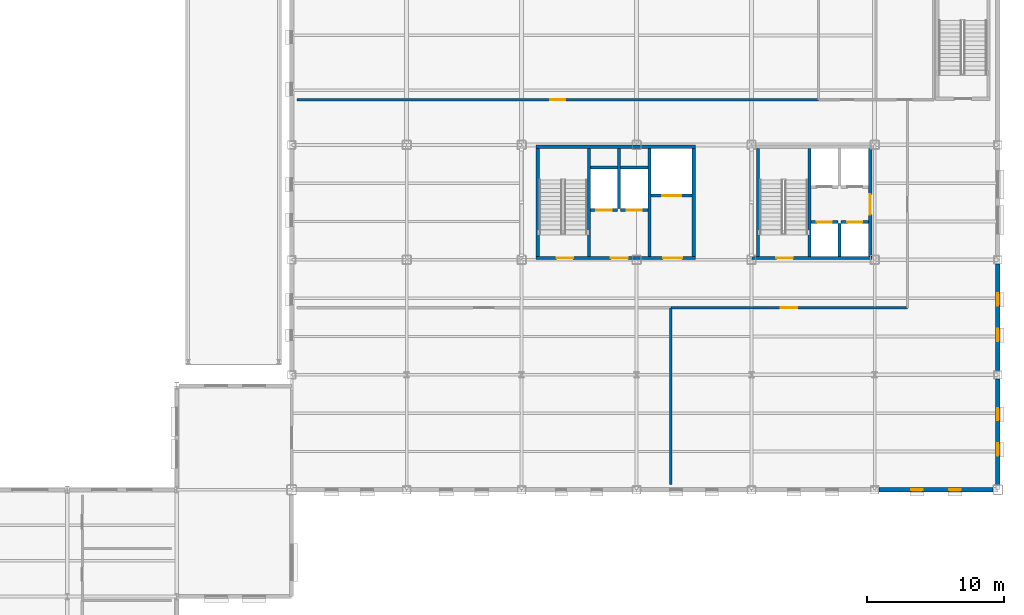
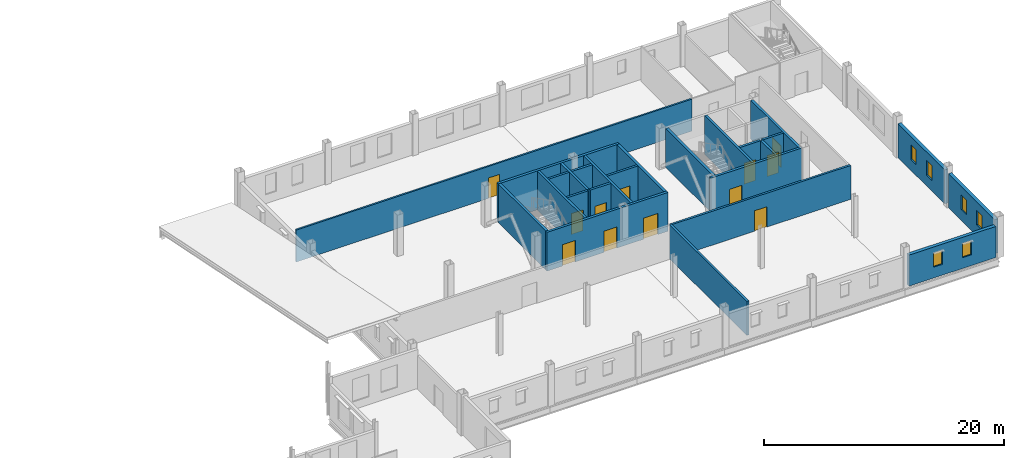
# One storey, part 65 of 75: 25 walls, 12 doors, 6 windows, 18 openings.
"""IFC4 building model written with IfcOpenShell, lengths in metres."""

from ifc_helpers import new_model, si_unit, direction, frame, frame_2d, origin, place, context, subcontext, project, spatial, rectangle, extrude, material, layer, layer_set, type_object, element, fill, save


model = new_model("IFC4")

# Units and contexts
model_context = context("Model", 3, precision=1e-05, world=origin(), true_north=direction((0.0, 1.0)))
body_context = subcontext(model_context, "Body", "Model", "MODEL_VIEW")
ifc_project = project(units=[si_unit("LENGTHUNIT", "METRE"), si_unit("AREAUNIT", "SQUARE_METRE"), si_unit("VOLUMEUNIT", "CUBIC_METRE"), si_unit("PLANEANGLEUNIT", "RADIAN"), si_unit("MASSUNIT", "GRAM", prefix="KILO")], contexts=[model_context])

# Site, building, storey
site_placement = place(None, origin())
site = spatial("IfcSite", under=ifc_project, at=site_placement, CompositionType="ELEMENT")
building_placement = place(site_placement, origin())
building = spatial("IfcBuilding", under=site, at=building_placement, Name="Yukiwa Park Conservatory and Herbarium", CompositionType="ELEMENT")
storey_placement = place(building_placement, frame((0.0, 0.0, 4.800048828125)))
storey = spatial("IfcBuildingStorey", under=building, at=storey_placement, Name="L01", CompositionType="ELEMENT", Elevation=4.800048828125)

# Walls
ifc_material_1 = material(Name="Concrete C40", Category="concrete")
ifc_layer_1 = layer(ifc_material_1, 0.219970703125)
ifc_layer_set_1 = layer_set([ifc_layer_1], Name="Concrete C40")
wall_type_1 = type_object("IfcWallType", Name="WL-CORE-RC220", PredefinedType="SHEAR", material=ifc_layer_set_1)
wall_1_placement = place(storey_placement, frame((138.110107421875, 95.050048828125, 0.0), z_axis=(0.0, 0.0, 1.0), x_axis=(0.0, 1.0, 0.0)))
element("IfcWall", 1, at=wall_1_placement, inside=storey, type_object=wall_type_1, Name="L01 core shear wall 167", PredefinedType="SHEAR", context=body_context, shape_type="SweptSolid", body=[
    extrude(rectangle(XDim=7.89990234375, YDim=0.219970703125, at=frame_2d((3.949951171875, 0.0))), origin(), (0.0, 0.0, 1.0), 3.954833984375),
])
wall_2_placement = place(storey_placement, frame((140.330078125, 98.5400390625, 0.0), z_axis=(0.0, 0.0, 1.0), x_axis=(0.0, 1.0, 0.0)))
element("IfcWall", 2, at=wall_2_placement, inside=storey, type_object=wall_type_1, Name="L01 core shear wall 168", PredefinedType="SHEAR", context=body_context, shape_type="SweptSolid", body=[
    extrude(rectangle(XDim=4.409912109375, YDim=0.219970703125, at=frame_2d((2.205078125, 0.0))), origin(), (0.0, 0.0, 1.0), 3.954833984375),
])
wall_3_placement = place(storey_placement, frame((142.550048828125, 95.050048828125, 0.0), z_axis=(0.0, 0.0, 1.0), x_axis=(0.0, 1.0, 0.0)))
element("IfcWall", 3, at=wall_3_placement, inside=storey, type_object=wall_type_1, Name="L01 core shear wall 169", PredefinedType="SHEAR", context=body_context, shape_type="SweptSolid", body=[
    extrude(rectangle(XDim=7.89990234375, YDim=0.219970703125, at=frame_2d((3.949951171875, 0.0))), origin(), (0.0, 0.0, 1.0), 3.954833984375),
])

# Wall, opening, door
wall_4_placement = place(storey_placement, frame((138.219970703125, 98.429931640625, 0.0), z_axis=(0.0, 0.0, 1.0), x_axis=(1.0, 0.0, 0.0)))
wall_4 = element("IfcWall", 4, at=wall_4_placement, inside=storey, type_object=wall_type_1, Name="L01 core shear wall 171", PredefinedType="SHEAR", context=body_context, shape_type="SweptSolid", body=[
    extrude(rectangle(XDim=2.0, YDim=0.219970703125, at=frame_2d((1.0, 0.0))), origin(), (0.0, 0.0, 1.0), 3.954833984375),
])
opening_1_placement = place(wall_4_placement, frame((0.449951171875, 0.0, 0.0)))
opening_1 = element("IfcOpeningElement", 5, at=opening_1_placement, cuts=wall_4, Name="Opening LD-01", PredefinedType="OPENING", context=body_context, shape_type="SweptSolid", body=[
    extrude(rectangle(XDim=1.10009765625, YDim=2.14990234375, at=frame_2d((0.550048828125, 1.074951171875))), frame((0.0, 0.1201171875, 0.0), z_axis=(0.0, -1.0, 0.0), x_axis=(1.0, 0.0, 0.0)), (0.0, 0.0, 1.0), 0.239990234375),
])
ifc_material_2 = material(Name="Steel Q235B", Category="steel")
door_type_1 = type_object("IfcDoorType", Name="DR-LIFT-LD1100", OperationType="SLIDING_TO_LEFT", PredefinedType="DOOR", material=ifc_material_2)
door_1_placement = place(opening_1_placement, origin())
door_1 = element("IfcDoor", 6, at=door_1_placement, inside=storey, type_object=door_type_1, Name="L01 Firefighting Lift FL1 sliding landing door", OperationType="SLIDING_TO_LEFT", OverallHeight=2.14990234375, OverallWidth=1.10009765625, PredefinedType="DOOR", context=body_context, shape_type="SweptSolid", body=[
    extrude(rectangle(XDim=1.10009765625, YDim=2.14990234375, at=frame_2d((0.550048828125, 1.074951171875))), frame((0.0, 0.02490234375, 0.0), z_axis=(0.0, -1.0, 0.0), x_axis=(1.0, 0.0, 0.0)), (0.0, 0.0, 1.0), 0.050048828125),
])
fill(opening_1, door_1)

wall_5_placement = place(storey_placement, frame((140.43994140625, 98.429931640625, 0.0), z_axis=(0.0, 0.0, 1.0), x_axis=(1.0, 0.0, 0.0)))
wall_5 = element("IfcWall", 7, at=wall_5_placement, inside=storey, type_object=wall_type_1, Name="L01 core shear wall 172", PredefinedType="SHEAR", context=body_context, shape_type="SweptSolid", body=[
    extrude(rectangle(XDim=2.0, YDim=0.219970703125, at=frame_2d((1.0, 0.0))), origin(), (0.0, 0.0, 1.0), 3.954833984375),
])
opening_2_placement = place(wall_5_placement, frame((0.449951171875, 0.0, 0.0)))
opening_2 = element("IfcOpeningElement", 8, at=opening_2_placement, cuts=wall_5, Name="Opening LD-01", PredefinedType="OPENING", context=body_context, shape_type="SweptSolid", body=[
    extrude(rectangle(XDim=1.10009765625, YDim=2.14990234375, at=frame_2d((0.550048828125, 1.074951171875))), frame((0.0, 0.1201171875, 0.0), z_axis=(0.0, -1.0, 0.0), x_axis=(1.0, 0.0, 0.0)), (0.0, 0.0, 1.0), 0.239990234375),
])
door_2_placement = place(opening_2_placement, origin())
door_2 = element("IfcDoor", 9, at=door_2_placement, inside=storey, type_object=door_type_1, Name="L01 Firefighting Lift FL2 sliding landing door", OperationType="SLIDING_TO_LEFT", OverallHeight=2.14990234375, OverallWidth=1.10009765625, PredefinedType="DOOR", context=body_context, shape_type="SweptSolid", body=[
    extrude(rectangle(XDim=1.10009765625, YDim=2.14990234375, at=frame_2d((0.550048828125, 1.074951171875))), frame((0.0, 0.02490234375, 0.0), z_axis=(0.0, -1.0, 0.0), x_axis=(1.0, 0.0, 0.0)), (0.0, 0.0, 1.0), 0.050048828125),
])
fill(opening_2, door_2)

# Walls
for number, where, z_axis, x_axis, name in (
    (10, (138.219970703125, 101.550048828125, 0.0), (0.0, 0.0, 1.0), (1.0, 0.0, 0.0), "L01 core shear wall 173"),
    (11, (140.43994140625, 101.550048828125, 0.0), (0.0, 0.0, 1.0), (1.0, 0.0, 0.0), "L01 core shear wall 174"),
):
    element("IfcWall", number, at=place(storey_placement, frame(where, z_axis=z_axis, x_axis=x_axis)), inside=storey, type_object=wall_type_1, Name=name, PredefinedType="SHEAR", context=body_context, shape_type="SweptSolid", body=[
        extrude(rectangle(XDim=2.0, YDim=0.219970703125, at=frame_2d((1.0, 0.0))), origin(), (0.0, 0.0, 1.0), 3.954833984375),
    ])

# Wall, opening, door
wall_6_placement = place(storey_placement, frame((142.659912109375, 99.489990234375, 0.0), z_axis=(0.0, 0.0, 1.0), x_axis=(1.0, 0.0, 0.0)))
wall_6 = element("IfcWall", 12, at=wall_6_placement, inside=storey, type_object=wall_type_1, Name="L01 core shear wall 175", PredefinedType="SHEAR", context=body_context, shape_type="SweptSolid", body=[
    extrude(rectangle(XDim=3.0, YDim=0.219970703125, at=frame_2d((1.5, 0.0))), origin(), (0.0, 0.0, 1.0), 3.954833984375),
])
opening_3_placement = place(wall_6_placement, frame((0.800048828125, 0.0, 0.0)))
opening_3 = element("IfcOpeningElement", 13, at=opening_3_placement, cuts=wall_6, Name="Opening LD-02", PredefinedType="OPENING", context=body_context, shape_type="SweptSolid", body=[
    extrude(rectangle(XDim=1.39990234375, YDim=2.199951171875, at=frame_2d((0.699951171875, 1.10009765625))), frame((0.0, 0.1201171875, 0.0), z_axis=(0.0, -1.0, 0.0), x_axis=(1.0, 0.0, 0.0)), (0.0, 0.0, 1.0), 0.239990234375),
])
ifc_material_3 = material(Name="Steel Q235B", Category="steel")
door_type_2 = type_object("IfcDoorType", Name="DR-LIFT-LD1400", OperationType="SLIDING_TO_LEFT", PredefinedType="DOOR", material=ifc_material_3)
door_3_placement = place(opening_3_placement, origin())
door_3 = element("IfcDoor", 14, at=door_3_placement, inside=storey, type_object=door_type_2, Name="L01 Goods Lift GL1 sliding landing door", OperationType="SLIDING_TO_LEFT", OverallHeight=2.199951171875, OverallWidth=1.39990234375, PredefinedType="DOOR", context=body_context, shape_type="SweptSolid", body=[
    extrude(rectangle(XDim=1.39990234375, YDim=2.199951171875, at=frame_2d((0.699951171875, 1.10009765625))), frame((0.0, 0.02490234375, 0.0), z_axis=(0.0, -1.0, 0.0), x_axis=(1.0, 0.0, 0.0)), (0.0, 0.0, 1.0), 0.050048828125),
])
fill(opening_3, door_3)

# Walls
wall_7_placement = place(storey_placement, frame((154.219970703125, 95.050048828125, 0.0), z_axis=(0.0, 0.0, 1.0), x_axis=(0.0, 1.0, 0.0)))
element("IfcWall", 15, at=wall_7_placement, inside=storey, type_object=wall_type_1, Name="L01 core shear wall 179", PredefinedType="SHEAR", context=body_context, shape_type="SweptSolid", body=[
    extrude(rectangle(XDim=7.89990234375, YDim=0.219970703125, at=frame_2d((3.949951171875, 0.0))), origin(), (0.0, 0.0, 1.0), 3.954833984375),
])
wall_8_placement = place(storey_placement, frame((156.43994140625, 95.050048828125, 0.0), z_axis=(0.0, 0.0, 1.0), x_axis=(0.0, 1.0, 0.0)))
element("IfcWall", 16, at=wall_8_placement, inside=storey, type_object=wall_type_1, Name="L01 core shear wall 184", PredefinedType="SHEAR", context=body_context, shape_type="SweptSolid", body=[
    extrude(rectangle(XDim=2.39990234375, YDim=0.219970703125, at=frame_2d((1.199951171875, 0.0))), origin(), (0.0, 0.0, 1.0), 3.954833984375),
])

# Wall, opening, door
wall_9_placement = place(storey_placement, frame((154.330078125, 97.56005859375, 0.0), z_axis=(0.0, 0.0, 1.0), x_axis=(1.0, 0.0, 0.0)))
wall_9 = element("IfcWall", 17, at=wall_9_placement, inside=storey, type_object=wall_type_1, Name="L01 core shear wall 185", PredefinedType="SHEAR", context=body_context, shape_type="SweptSolid", body=[
    extrude(rectangle(XDim=2.0, YDim=0.219970703125, at=frame_2d((1.0, 0.0))), origin(), (0.0, 0.0, 1.0), 3.954833984375),
])
opening_4_placement = place(wall_9_placement, frame((0.449951171875, 0.0, 0.0)))
opening_4 = element("IfcOpeningElement", 18, at=opening_4_placement, cuts=wall_9, Name="Opening LD-01", PredefinedType="OPENING", context=body_context, shape_type="SweptSolid", body=[
    extrude(rectangle(XDim=1.10009765625, YDim=2.14990234375, at=frame_2d((0.550048828125, 1.074951171875))), frame((0.0, 0.1201171875, 0.0), z_axis=(0.0, -1.0, 0.0), x_axis=(1.0, 0.0, 0.0)), (0.0, 0.0, 1.0), 0.239990234375),
])
door_4_placement = place(opening_4_placement, origin())
door_4 = element("IfcDoor", 19, at=door_4_placement, inside=storey, type_object=door_type_1, Name="L01 Passenger Lift LP3 sliding landing door", OperationType="SLIDING_TO_LEFT", OverallHeight=2.14990234375, OverallWidth=1.10009765625, PredefinedType="DOOR", context=body_context, shape_type="SweptSolid", body=[
    extrude(rectangle(XDim=1.10009765625, YDim=2.14990234375, at=frame_2d((0.550048828125, 1.074951171875))), frame((0.0, 0.02490234375, 0.0), z_axis=(0.0, -1.0, 0.0), x_axis=(1.0, 0.0, 0.0)), (0.0, 0.0, 1.0), 0.050048828125),
])
fill(opening_4, door_4)

wall_10_placement = place(storey_placement, frame((156.550048828125, 97.56005859375, 0.0), z_axis=(0.0, 0.0, 1.0), x_axis=(1.0, 0.0, 0.0)))
wall_10 = element("IfcWall", 20, at=wall_10_placement, inside=storey, type_object=wall_type_1, Name="L01 core shear wall 186", PredefinedType="SHEAR", context=body_context, shape_type="SweptSolid", body=[
    extrude(rectangle(XDim=2.0, YDim=0.219970703125, at=frame_2d((1.0, 0.0))), origin(), (0.0, 0.0, 1.0), 3.954833984375),
])
opening_5_placement = place(wall_10_placement, frame((0.449951171875, 0.0, 0.0)))
opening_5 = element("IfcOpeningElement", 21, at=opening_5_placement, cuts=wall_10, Name="Opening LD-01", PredefinedType="OPENING", context=body_context, shape_type="SweptSolid", body=[
    extrude(rectangle(XDim=1.10009765625, YDim=2.14990234375, at=frame_2d((0.550048828125, 1.074951171875))), frame((0.0, 0.1201171875, 0.0), z_axis=(0.0, -1.0, 0.0), x_axis=(1.0, 0.0, 0.0)), (0.0, 0.0, 1.0), 0.239990234375),
])
door_5_placement = place(opening_5_placement, origin())
door_5 = element("IfcDoor", 22, at=door_5_placement, inside=storey, type_object=door_type_1, Name="L01 Passenger Lift LP4 sliding landing door", OperationType="SLIDING_TO_LEFT", OverallHeight=2.14990234375, OverallWidth=1.10009765625, PredefinedType="DOOR", context=body_context, shape_type="SweptSolid", body=[
    extrude(rectangle(XDim=1.10009765625, YDim=2.14990234375, at=frame_2d((0.550048828125, 1.074951171875))), frame((0.0, 0.02490234375, 0.0), z_axis=(0.0, -1.0, 0.0), x_axis=(1.0, 0.0, 0.0)), (0.0, 0.0, 1.0), 0.050048828125),
])
fill(opening_5, door_5)

# Wall, openings, doors
ifc_material_4 = material(Name="Concrete C50", Category="concrete")
ifc_layer_2 = layer(ifc_material_4, 0.239990234375)
ifc_layer_set_2 = layer_set([ifc_layer_2], Name="Concrete C50")
wall_type_2 = type_object("IfcWallType", Name="WL-CORE-RC240", PredefinedType="SHEAR", material=ifc_layer_set_2)
wall_11_placement = place(storey_placement, frame((134.25, 94.929931640625, 0.0), z_axis=(0.0, 0.0, 1.0), x_axis=(1.0, 0.0, 0.0)))
wall_11 = element("IfcWall", 23, at=wall_11_placement, inside=storey, type_object=wall_type_2, Name="L01 core shear wall 164", PredefinedType="SHEAR", context=body_context, shape_type="SweptSolid", body=[
    extrude(rectangle(XDim=11.64990234375, YDim=0.239990234375, at=frame_2d((5.824951171875, 0.0))), origin(), (0.0, 0.0, 1.0), 3.954833984375),
])
opening_6_placement = place(wall_11_placement, frame((1.5, 0.0, 0.0)))
opening_6 = element("IfcOpeningElement", 24, at=opening_6_placement, cuts=wall_11, Name="Opening SD-01", PredefinedType="OPENING", context=body_context, shape_type="SweptSolid", body=[
    extrude(rectangle(XDim=1.219970703125, YDim=2.179931640625, at=frame_2d((0.60986328125, 1.08984375))), frame((0.0, 0.1298828125, 0.0), z_axis=(0.0, -1.0, 0.0), x_axis=(1.0, 0.0, 0.0)), (0.0, 0.0, 1.0), 0.260009765625),
])
opening_7_placement = place(wall_11_placement, frame((5.47998046875, 0.0, 0.0)))
opening_7 = element("IfcOpeningElement", 25, at=opening_7_placement, cuts=wall_11, Name="Opening FD-02", PredefinedType="OPENING", context=body_context, shape_type="SweptSolid", body=[
    extrude(rectangle(XDim=1.239990234375, YDim=2.14990234375, at=frame_2d((0.6201171875, 1.074951171875))), frame((0.0, 0.1298828125, 0.0), z_axis=(0.0, -1.0, 0.0), x_axis=(1.0, 0.0, 0.0)), (0.0, 0.0, 1.0), 0.260009765625),
])
opening_8_placement = place(wall_11_placement, frame((9.300048828125, 0.0, 0.0)))
opening_8 = element("IfcOpeningElement", 26, at=opening_8_placement, cuts=wall_11, Name="Opening FD-06", PredefinedType="OPENING", context=body_context, shape_type="SweptSolid", body=[
    extrude(rectangle(XDim=1.3798828125, YDim=2.14990234375, at=frame_2d((0.68994140625, 1.074951171875))), frame((0.0, 0.1298828125, 0.0), z_axis=(0.0, -1.0, 0.0), x_axis=(1.0, 0.0, 0.0)), (0.0, 0.0, 1.0), 0.260009765625),
])
ifc_material_5 = material(Name="Steel Q235B", Category="steel")
door_type_3 = type_object("IfcDoorType", Name="DR-FIRE-FD60-1400", OperationType="DOUBLE_DOOR_SINGLE_SWING", PredefinedType="DOOR", material=ifc_material_5)
door_6_placement = place(opening_8_placement, frame((1.3798828125, 0.0, 0.0), z_axis=(0.0, 0.0, 1.0), x_axis=(-1.0, 0.0, 0.0)))
door_6 = element("IfcDoor", 27, at=door_6_placement, inside=storey, type_object=door_type_3, Name="L01 Goods Lift Lobby double fire door", OperationType="DOUBLE_DOOR_SINGLE_SWING", OverallHeight=2.14990234375, OverallWidth=1.3798828125, PredefinedType="DOOR", context=body_context, shape_type="SweptSolid", body=[
    extrude(rectangle(XDim=1.3798828125, YDim=2.14990234375, at=frame_2d((0.68994140625, 1.074951171875))), frame((0.0, 0.02490234375, 0.0), z_axis=(0.0, -1.0, 0.0), x_axis=(1.0, 0.0, 0.0)), (0.0, 0.0, 1.0), 0.050048828125),
])
fill(opening_8, door_6)
ifc_material_6 = material(Name="Steel Q235B", Category="steel")
door_type_4 = type_object("IfcDoorType", Name="DR-FIRE-FD90-1200", OperationType="SINGLE_SWING_RIGHT", PredefinedType="DOOR", material=ifc_material_6)
door_7_placement = place(opening_7_placement, frame((1.239990234375, 0.0, 0.0), z_axis=(0.0, 0.0, 1.0), x_axis=(-1.0, 0.0, 0.0)))
door_7 = element("IfcDoor", 28, at=door_7_placement, inside=storey, type_object=door_type_4, Name="L01 Firefighting Lift Lobby fire door", OperationType="SINGLE_SWING_RIGHT", OverallHeight=2.14990234375, OverallWidth=1.239990234375, PredefinedType="DOOR", context=body_context, shape_type="SweptSolid", body=[
    extrude(rectangle(XDim=1.239990234375, YDim=2.14990234375, at=frame_2d((0.6201171875, 1.074951171875))), frame((0.0, 0.02490234375, 0.0), z_axis=(0.0, -1.0, 0.0), x_axis=(1.0, 0.0, 0.0)), (0.0, 0.0, 1.0), 0.050048828125),
])
fill(opening_7, door_7)
ifc_material_7 = material(Name="Steel Q235B", Category="steel")
door_type_5 = type_object("IfcDoorType", Name="DR-STAIR-FD90-1200", OperationType="SINGLE_SWING_LEFT", PredefinedType="DOOR", material=ifc_material_7)
door_8_placement = place(opening_6_placement, origin())
door_8 = element("IfcDoor", 29, at=door_8_placement, inside=storey, type_object=door_type_5, Name="L01 Stairwell ST-T1 fire door", OperationType="SINGLE_SWING_LEFT", OverallHeight=2.179931640625, OverallWidth=1.219970703125, PredefinedType="DOOR", context=body_context, shape_type="SweptSolid", body=[
    extrude(rectangle(XDim=1.219970703125, YDim=2.179931640625, at=frame_2d((0.60986328125, 1.08984375))), frame((0.0, 0.02490234375, 0.0), z_axis=(0.0, -1.0, 0.0), x_axis=(1.0, 0.0, 0.0)), (0.0, 0.0, 1.0), 0.050048828125),
])
fill(opening_6, door_8)

# Walls
wall_12_placement = place(storey_placement, frame((134.25, 103.070068359375, 0.0), z_axis=(0.0, 0.0, 1.0), x_axis=(1.0, 0.0, 0.0)))
element("IfcWall", 30, at=wall_12_placement, inside=storey, type_object=wall_type_2, Name="L01 core shear wall 165", PredefinedType="SHEAR", context=body_context, shape_type="SweptSolid", body=[
    extrude(rectangle(XDim=11.64990234375, YDim=0.239990234375, at=frame_2d((5.824951171875, 0.0))), origin(), (0.0, 0.0, 1.0), 3.954833984375),
])
for number, where, z_axis, x_axis, name in (
    (31, (134.3701171875, 95.050048828125, 0.0), (0.0, 0.0, 1.0), (0.0, 1.0, 0.0), "L01 core shear wall 166"),
    (32, (145.780029296875, 95.050048828125, 0.0), (0.0, 0.0, 1.0), (0.0, 1.0, 0.0), "L01 core shear wall 170"),
):
    element("IfcWall", number, at=place(storey_placement, frame(where, z_axis=z_axis, x_axis=x_axis)), inside=storey, type_object=wall_type_2, Name=name, PredefinedType="SHEAR", context=body_context, shape_type="SweptSolid", body=[
        extrude(rectangle(XDim=7.89990234375, YDim=0.239990234375, at=frame_2d((3.949951171875, 0.0))), origin(), (0.0, 0.0, 1.0), 3.954833984375),
    ])

# Wall, opening, door
wall_13_placement = place(storey_placement, frame((150.02001953125, 94.929931640625, 0.0), z_axis=(0.0, 0.0, 1.0), x_axis=(1.0, 0.0, 0.0)))
wall_13 = element("IfcWall", 33, at=wall_13_placement, inside=storey, type_object=wall_type_2, Name="L01 core shear wall 176", PredefinedType="SHEAR", context=body_context, shape_type="SweptSolid", body=[
    extrude(rectangle(XDim=8.77001953125, YDim=0.239990234375, at=frame_2d((4.385009765625, 0.0))), origin(), (0.0, 0.0, 1.0), 3.954833984375),
])
opening_9_placement = place(wall_13_placement, frame((1.7900390625, 0.0, 0.0)))
opening_9 = element("IfcOpeningElement", 34, at=opening_9_placement, cuts=wall_13, Name="Opening SD-01", PredefinedType="OPENING", context=body_context, shape_type="SweptSolid", body=[
    extrude(rectangle(XDim=1.219970703125, YDim=2.179931640625, at=frame_2d((0.60986328125, 1.08984375))), frame((0.0, 0.1298828125, 0.0), z_axis=(0.0, -1.0, 0.0), x_axis=(1.0, 0.0, 0.0)), (0.0, 0.0, 1.0), 0.260009765625),
])
door_9_placement = place(opening_9_placement, origin())
door_9 = element("IfcDoor", 35, at=door_9_placement, inside=storey, type_object=door_type_5, Name="L01 Stairwell ST-T2 fire door", OperationType="SINGLE_SWING_LEFT", OverallHeight=2.179931640625, OverallWidth=1.219970703125, PredefinedType="DOOR", context=body_context, shape_type="SweptSolid", body=[
    extrude(rectangle(XDim=1.219970703125, YDim=2.179931640625, at=frame_2d((0.60986328125, 1.08984375))), frame((0.0, 0.02490234375, 0.0), z_axis=(0.0, -1.0, 0.0), x_axis=(1.0, 0.0, 0.0)), (0.0, 0.0, 1.0), 0.050048828125),
])
fill(opening_9, door_9)

# Wall
wall_14_placement = place(storey_placement, frame((150.47998046875, 95.050048828125, 0.0), z_axis=(0.0, 0.0, 1.0), x_axis=(0.0, 1.0, 0.0)))
element("IfcWall", 36, at=wall_14_placement, inside=storey, type_object=wall_type_2, Name="L01 core shear wall 178", PredefinedType="SHEAR", context=body_context, shape_type="SweptSolid", body=[
    extrude(rectangle(XDim=7.89990234375, YDim=0.239990234375, at=frame_2d((3.949951171875, 0.0))), origin(), (0.0, 0.0, 1.0), 3.954833984375),
])

# Wall, opening, door
wall_15_placement = place(storey_placement, frame((158.669921875, 95.050048828125, 0.0), z_axis=(0.0, 0.0, 1.0), x_axis=(0.0, 1.0, 0.0)))
wall_15 = element("IfcWall", 37, at=wall_15_placement, inside=storey, type_object=wall_type_2, Name="L01 core shear wall 180", PredefinedType="SHEAR", context=body_context, shape_type="SweptSolid", body=[
    extrude(rectangle(XDim=7.89990234375, YDim=0.239990234375, at=frame_2d((3.949951171875, 0.0))), origin(), (0.0, 0.0, 1.0), 3.954833984375),
])
opening_10_placement = place(wall_15_placement, frame((3.050048828125, 0.0, 0.0)))
opening_10 = element("IfcOpeningElement", 38, at=opening_10_placement, cuts=wall_15, Name="Opening FD-07", PredefinedType="OPENING", context=body_context, shape_type="SweptSolid", body=[
    extrude(rectangle(XDim=1.47998046875, YDim=2.219970703125, at=frame_2d((0.739990234375, 1.10986328125))), frame((0.0, 0.1298828125, 0.0), z_axis=(0.0, -1.0, 0.0), x_axis=(1.0, 0.0, 0.0)), (0.0, 0.0, 1.0), 0.260009765625),
])
ifc_material_8 = material(Name="Steel Q235B", Category="steel")
door_type_6 = type_object("IfcDoorType", Name="DR-FIRE-FD60-1500", OperationType="DOUBLE_DOOR_SINGLE_SWING", PredefinedType="DOOR", material=ifc_material_8)
door_10_placement = place(opening_10_placement, origin())
door_10 = element("IfcDoor", 39, at=door_10_placement, inside=storey, type_object=door_type_6, Name="L01 Tower Passenger Lift Lobby double fire door", OperationType="DOUBLE_DOOR_SINGLE_SWING", OverallHeight=2.219970703125, OverallWidth=1.47998046875, PredefinedType="DOOR", context=body_context, shape_type="SweptSolid", body=[
    extrude(rectangle(XDim=1.47998046875, YDim=2.219970703125, at=frame_2d((0.739990234375, 1.10986328125))), frame((0.0, 0.02490234375, 0.0), z_axis=(0.0, -1.0, 0.0), x_axis=(1.0, 0.0, 0.0)), (0.0, 0.0, 1.0), 0.050048828125),
])
fill(opening_10, door_10)

# Wall, openings, windows
ifc_material_9 = material(Name="Pale Granite Cladding", Category="masonry")
ifc_layer_3 = layer(ifc_material_9, 0.320068359375)
ifc_layer_set_3 = layer_set([ifc_layer_3], Name="Pale Granite Cladding")
wall_type_3 = type_object("IfcWallType", Name="WL-EXT-GRAN-320", PredefinedType="SOLIDWALL", material=ifc_layer_set_3)
wall_16_placement = place(storey_placement, frame((159.300048828125, 78.0, 0.0), z_axis=(0.0, 0.0, 1.0), x_axis=(1.0, 0.0, 0.0)))
wall_16 = element("IfcWall", 40, at=wall_16_placement, inside=storey, type_object=wall_type_3, Name="L01 exterior envelope wall 164", PredefinedType="SOLIDWALL", context=body_context, shape_type="SweptSolid", body=[
    extrude(rectangle(XDim=8.349853515625, YDim=0.320068359375, at=frame_2d((4.1748046875, 0.0))), origin(), (0.0, 0.0, 1.0), 3.162841796875),
])
opening_11_placement = place(wall_16_placement, frame((2.35791015625, 0.0, 1.10009765625)))
opening_11 = element("IfcOpeningElement", 41, at=opening_11_placement, cuts=wall_16, Name="Opening W-27", PredefinedType="OPENING", context=body_context, shape_type="SweptSolid", body=[
    extrude(rectangle(XDim=0.85009765625, YDim=1.449951171875, at=frame_2d((0.425048828125, 0.72509765625))), frame((0.0, 0.169921875, 0.0), z_axis=(0.0, -1.0, 0.0), x_axis=(1.0, 0.0, 0.0)), (0.0, 0.0, 1.0), 0.340087890625),
])
opening_12_placement = place(wall_16_placement, frame((5.14208984375, 0.0, 1.10009765625)))
opening_12 = element("IfcOpeningElement", 42, at=opening_12_placement, cuts=wall_16, Name="Opening W-27", PredefinedType="OPENING", context=body_context, shape_type="SweptSolid", body=[
    extrude(rectangle(XDim=0.85009765625, YDim=1.449951171875, at=frame_2d((0.425048828125, 0.72509765625))), frame((0.0, 0.169921875, 0.0), z_axis=(0.0, -1.0, 0.0), x_axis=(1.0, 0.0, 0.0)), (0.0, 0.0, 1.0), 0.340087890625),
])
ifc_material_10 = material(Name="Triple Low-E Insulated Glass", Category="glass")
window_type_1 = type_object("IfcWindowType", Name="WN-HB-0850X1450", PartitioningType="SINGLE_PANEL", PredefinedType="WINDOW", material=ifc_material_10)
window_1_placement = place(opening_11_placement, origin())
window_1 = element("IfcWindow", 43, at=window_1_placement, inside=storey, type_object=window_type_1, Name="L01 deep-reveal triple-glazed window 66", OverallHeight=1.449951171875, OverallWidth=0.85009765625, PartitioningType="SINGLE_PANEL", PredefinedType="WINDOW", context=body_context, shape_type="SweptSolid", body=[
    extrude(rectangle(XDim=0.85009765625, YDim=1.449951171875, at=frame_2d((0.425048828125, 0.72509765625))), frame((0.0, 0.030029296875, 0.0), z_axis=(0.0, -1.0, 0.0), x_axis=(1.0, 0.0, 0.0)), (0.0, 0.0, 1.0), 0.06005859375),
])
fill(opening_11, window_1)
window_2_placement = place(opening_12_placement, origin())
window_2 = element("IfcWindow", 44, at=window_2_placement, inside=storey, type_object=window_type_1, Name="L01 deep-reveal triple-glazed window 67", OverallHeight=1.449951171875, OverallWidth=0.85009765625, PartitioningType="SINGLE_PANEL", PredefinedType="WINDOW", context=body_context, shape_type="SweptSolid", body=[
    extrude(rectangle(XDim=0.85009765625, YDim=1.449951171875, at=frame_2d((0.425048828125, 0.72509765625))), frame((0.0, 0.030029296875, 0.0), z_axis=(0.0, -1.0, 0.0), x_axis=(1.0, 0.0, 0.0)), (0.0, 0.0, 1.0), 0.06005859375),
])
fill(opening_12, window_2)

wall_17_placement = place(storey_placement, frame((168.0, 78.35009765625, 0.0), z_axis=(0.0, 0.0, 1.0), x_axis=(0.0, 1.0, 0.0)))
wall_17 = element("IfcWall", 45, at=wall_17_placement, inside=storey, type_object=wall_type_3, Name="L01 exterior envelope wall 165", PredefinedType="SOLIDWALL", context=body_context, shape_type="SweptSolid", body=[
    extrude(rectangle(XDim=7.75, YDim=0.320068359375, at=frame_2d((3.875, 0.0))), origin(), (0.0, 0.0, 1.0), 3.454833984375),
])
opening_13_placement = place(wall_17_placement, frame((2.133056640625, 0.0, 1.10009765625)))
opening_13 = element("IfcOpeningElement", 46, at=opening_13_placement, cuts=wall_17, Name="Opening W-11", PredefinedType="OPENING", context=body_context, shape_type="SweptSolid", body=[
    extrude(rectangle(XDim=0.89990234375, YDim=1.5, at=frame_2d((0.449951171875, 0.75))), frame((0.0, 0.169921875, 0.0), z_axis=(0.0, -1.0, 0.0), x_axis=(1.0, 0.0, 0.0)), (0.0, 0.0, 1.0), 0.340087890625),
])
opening_14_placement = place(wall_17_placement, frame((4.717041015625, 0.0, 1.10009765625)))
opening_14 = element("IfcOpeningElement", 47, at=opening_14_placement, cuts=wall_17, Name="Opening W-11", PredefinedType="OPENING", context=body_context, shape_type="SweptSolid", body=[
    extrude(rectangle(XDim=0.89990234375, YDim=1.5, at=frame_2d((0.449951171875, 0.75))), frame((0.0, 0.169921875, 0.0), z_axis=(0.0, -1.0, 0.0), x_axis=(1.0, 0.0, 0.0)), (0.0, 0.0, 1.0), 0.340087890625),
])
ifc_material_11 = material(Name="Triple Low-E Insulated Glass", Category="glass")
window_type_2 = type_object("IfcWindowType", Name="WN-HB-0900X1500", PartitioningType="SINGLE_PANEL", PredefinedType="WINDOW", material=ifc_material_11)
window_3_placement = place(opening_13_placement, origin())
window_3 = element("IfcWindow", 48, at=window_3_placement, inside=storey, type_object=window_type_2, Name="L01 deep-reveal triple-glazed window 68", OverallHeight=1.5, OverallWidth=0.89990234375, PartitioningType="SINGLE_PANEL", PredefinedType="WINDOW", context=body_context, shape_type="SweptSolid", body=[
    extrude(rectangle(XDim=0.89990234375, YDim=1.5, at=frame_2d((0.449951171875, 0.75))), frame((0.0, 0.030029296875, 0.0), z_axis=(0.0, -1.0, 0.0), x_axis=(1.0, 0.0, 0.0)), (0.0, 0.0, 1.0), 0.06005859375),
])
fill(opening_13, window_3)
window_4_placement = place(opening_14_placement, origin())
window_4 = element("IfcWindow", 49, at=window_4_placement, inside=storey, type_object=window_type_2, Name="L01 deep-reveal triple-glazed window 69", OverallHeight=1.5, OverallWidth=0.89990234375, PartitioningType="SINGLE_PANEL", PredefinedType="WINDOW", context=body_context, shape_type="SweptSolid", body=[
    extrude(rectangle(XDim=0.89990234375, YDim=1.5, at=frame_2d((0.449951171875, 0.75))), frame((0.0, 0.030029296875, 0.0), z_axis=(0.0, -1.0, 0.0), x_axis=(1.0, 0.0, 0.0)), (0.0, 0.0, 1.0), 0.06005859375),
])
fill(opening_14, window_4)

wall_18_placement = place(storey_placement, frame((168.0, 86.699951171875, 0.0), z_axis=(0.0, 0.0, 1.0), x_axis=(0.0, 1.0, 0.0)))
wall_18 = element("IfcWall", 50, at=wall_18_placement, inside=storey, type_object=wall_type_3, Name="L01 exterior envelope wall 166", PredefinedType="SOLIDWALL", context=body_context, shape_type="SweptSolid", body=[
    extrude(rectangle(XDim=7.800048828125, YDim=0.320068359375, at=frame_2d((3.89990234375, 0.0))), origin(), (0.0, 0.0, 1.0), 3.454833984375),
])
opening_15_placement = place(wall_18_placement, frame((2.14990234375, 0.0, 1.10009765625)))
opening_15 = element("IfcOpeningElement", 51, at=opening_15_placement, cuts=wall_18, Name="Opening W-11", PredefinedType="OPENING", context=body_context, shape_type="SweptSolid", body=[
    extrude(rectangle(XDim=0.89990234375, YDim=1.5, at=frame_2d((0.449951171875, 0.75))), frame((0.0, 0.169921875, 0.0), z_axis=(0.0, -1.0, 0.0), x_axis=(1.0, 0.0, 0.0)), (0.0, 0.0, 1.0), 0.340087890625),
])
opening_16_placement = place(wall_18_placement, frame((4.75, 0.0, 1.10009765625)))
opening_16 = element("IfcOpeningElement", 52, at=opening_16_placement, cuts=wall_18, Name="Opening W-11", PredefinedType="OPENING", context=body_context, shape_type="SweptSolid", body=[
    extrude(rectangle(XDim=0.89990234375, YDim=1.5, at=frame_2d((0.449951171875, 0.75))), frame((0.0, 0.169921875, 0.0), z_axis=(0.0, -1.0, 0.0), x_axis=(1.0, 0.0, 0.0)), (0.0, 0.0, 1.0), 0.340087890625),
])
window_5_placement = place(opening_15_placement, origin())
window_5 = element("IfcWindow", 53, at=window_5_placement, inside=storey, type_object=window_type_2, Name="L01 deep-reveal triple-glazed window 70", OverallHeight=1.5, OverallWidth=0.89990234375, PartitioningType="SINGLE_PANEL", PredefinedType="WINDOW", context=body_context, shape_type="SweptSolid", body=[
    extrude(rectangle(XDim=0.89990234375, YDim=1.5, at=frame_2d((0.449951171875, 0.75))), frame((0.0, 0.030029296875, 0.0), z_axis=(0.0, -1.0, 0.0), x_axis=(1.0, 0.0, 0.0)), (0.0, 0.0, 1.0), 0.06005859375),
])
fill(opening_15, window_5)
window_6_placement = place(opening_16_placement, origin())
window_6 = element("IfcWindow", 54, at=window_6_placement, inside=storey, type_object=window_type_2, Name="L01 deep-reveal triple-glazed window 71", OverallHeight=1.5, OverallWidth=0.89990234375, PartitioningType="SINGLE_PANEL", PredefinedType="WINDOW", context=body_context, shape_type="SweptSolid", body=[
    extrude(rectangle(XDim=0.89990234375, YDim=1.5, at=frame_2d((0.449951171875, 0.75))), frame((0.0, 0.030029296875, 0.0), z_axis=(0.0, -1.0, 0.0), x_axis=(1.0, 0.0, 0.0)), (0.0, 0.0, 1.0), 0.06005859375),
])
fill(opening_16, window_6)

# Wall, opening, door
ifc_material_12 = material(Name="Gypsum Board Partition", Category="gypsum")
ifc_layer_4 = layer(ifc_material_12, 0.199951171875)
ifc_layer_set_4 = layer_set([ifc_layer_4], Name="Gypsum Board Partition")
wall_type_4 = type_object("IfcWallType", Name="WL-PART-FIRE-200", PredefinedType="SOLIDWALL", material=ifc_layer_set_4)
wall_19_placement = place(storey_placement, frame((144.10009765625, 91.300048828125, 0.0), z_axis=(0.0, 0.0, 1.0), x_axis=(1.0, 0.0, 0.0)))
wall_19 = element("IfcWall", 55, at=wall_19_placement, inside=storey, type_object=wall_type_4, Name="L01 interior partition wall 233", PredefinedType="SOLIDWALL", context=body_context, shape_type="SweptSolid", body=[
    extrude(rectangle(XDim=17.2998046875, YDim=0.199951171875, at=frame_2d((8.64990234375, 0.0))), origin(), (0.0, 0.0, 1.0), 3.454833984375),
])
opening_17_placement = place(wall_19_placement, frame((8.050048828125, 0.0, 0.0)))
opening_17 = element("IfcOpeningElement", 56, at=opening_17_placement, cuts=wall_19, Name="Opening ID-12", PredefinedType="OPENING", context=body_context, shape_type="SweptSolid", body=[
    extrude(rectangle(XDim=1.199951171875, YDim=2.080078125, at=frame_2d((0.60009765625, 1.0400390625))), frame((0.0, 0.10986328125, 0.0), z_axis=(0.0, -1.0, 0.0), x_axis=(1.0, 0.0, 0.0)), (0.0, 0.0, 1.0), 0.219970703125),
])
ifc_material_13 = material(Name="Charred Larch Cladding", Category="wood")
door_type_7 = type_object("IfcDoorType", Name="DR-INT-1200", OperationType="SINGLE_SWING_LEFT", PredefinedType="DOOR", material=ifc_material_13)
door_11_placement = place(opening_17_placement, origin())
door_11 = element("IfcDoor", 57, at=door_11_placement, inside=storey, type_object=door_type_7, Name="L01 Digitisation studio door", OperationType="SINGLE_SWING_LEFT", OverallHeight=2.080078125, OverallWidth=1.199951171875, PredefinedType="DOOR", context=body_context, shape_type="SweptSolid", body=[
    extrude(rectangle(XDim=1.199951171875, YDim=2.080078125, at=frame_2d((0.60009765625, 1.0400390625))), frame((0.0, 0.02490234375, 0.0), z_axis=(0.0, -1.0, 0.0), x_axis=(1.0, 0.0, 0.0)), (0.0, 0.0, 1.0), 0.050048828125),
])
fill(opening_17, door_11)

# Wall
wall_20_placement = place(storey_placement, frame((144.10009765625, 78.39990234375, 0.0), z_axis=(0.0, 0.0, 1.0), x_axis=(0.0, 1.0, 0.0)))
element("IfcWall", 58, at=wall_20_placement, inside=storey, type_object=wall_type_4, Name="L01 interior partition wall 234", PredefinedType="SOLIDWALL", context=body_context, shape_type="SweptSolid", body=[
    extrude(rectangle(XDim=12.900146484375, YDim=0.199951171875, at=frame_2d((6.4501953125, 0.0))), origin(), (0.0, 0.0, 1.0), 3.458984375),
])

# Wall, opening, door
ifc_material_14 = material(Name="Gypsum Board Partition", Category="gypsum")
ifc_layer_5 = layer(ifc_material_14, 0.159912109375)
ifc_layer_set_5 = layer_set([ifc_layer_5], Name="Gypsum Board Partition")
wall_type_5 = type_object("IfcWallType", Name="WL-PART-GYP-160", PredefinedType="PARTITIONING", material=ifc_layer_set_5)
wall_21_placement = place(storey_placement, frame((116.800048828125, 106.5, 0.0), z_axis=(0.0, 0.0, 1.0), x_axis=(1.0, 0.0, 0.0)))
wall_21 = element("IfcWall", 59, at=wall_21_placement, inside=storey, type_object=wall_type_5, Name="L01 interior partition wall 236", PredefinedType="PARTITIONING", context=body_context, shape_type="SweptSolid", body=[
    extrude(rectangle(XDim=38.099853515625, YDim=0.159912109375, at=frame_2d((19.0498046875, 0.0))), origin(), (0.0, 0.0, 1.0), 3.2548828125),
])
opening_18_placement = place(wall_21_placement, frame((18.5, 0.0, 0.0)))
opening_18 = element("IfcOpeningElement", 60, at=opening_18_placement, cuts=wall_21, Name="Opening ID-11", PredefinedType="OPENING", context=body_context, shape_type="SweptSolid", body=[
    extrude(rectangle(XDim=1.080078125, YDim=2.080078125, at=frame_2d((0.5400390625, 1.0400390625))), frame((0.0, 0.08984375, 0.0), z_axis=(0.0, -1.0, 0.0), x_axis=(1.0, 0.0, 0.0)), (0.0, 0.0, 1.0), 0.179931640625),
])
ifc_material_15 = material(Name="Charred Larch Cladding", Category="wood")
door_type_8 = type_object("IfcDoorType", Name="DR-INT-1100", OperationType="SINGLE_SWING_RIGHT", PredefinedType="DOOR", material=ifc_material_15)
door_12_placement = place(opening_18_placement, origin())
door_12 = element("IfcDoor", 61, at=door_12_placement, inside=storey, type_object=door_type_8, Name="L01 Curatorial office door", OperationType="SINGLE_SWING_RIGHT", OverallHeight=2.080078125, OverallWidth=1.080078125, PredefinedType="DOOR", context=body_context, shape_type="SweptSolid", body=[
    extrude(rectangle(XDim=1.080078125, YDim=2.080078125, at=frame_2d((0.5400390625, 1.0400390625))), frame((0.0, 0.02490234375, 0.0), z_axis=(0.0, -1.0, 0.0), x_axis=(1.0, 0.0, 0.0)), (0.0, 0.0, 1.0), 0.050048828125),
])
fill(opening_18, door_12)

save(model, "model.ifc")
